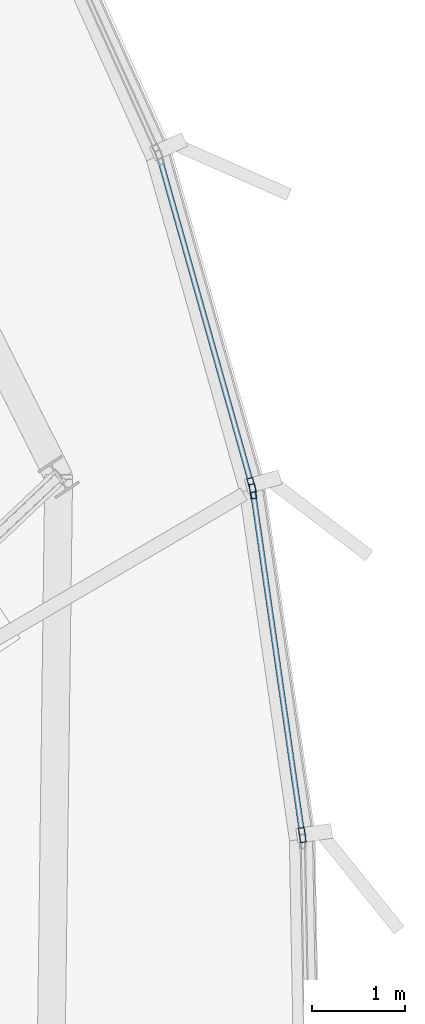
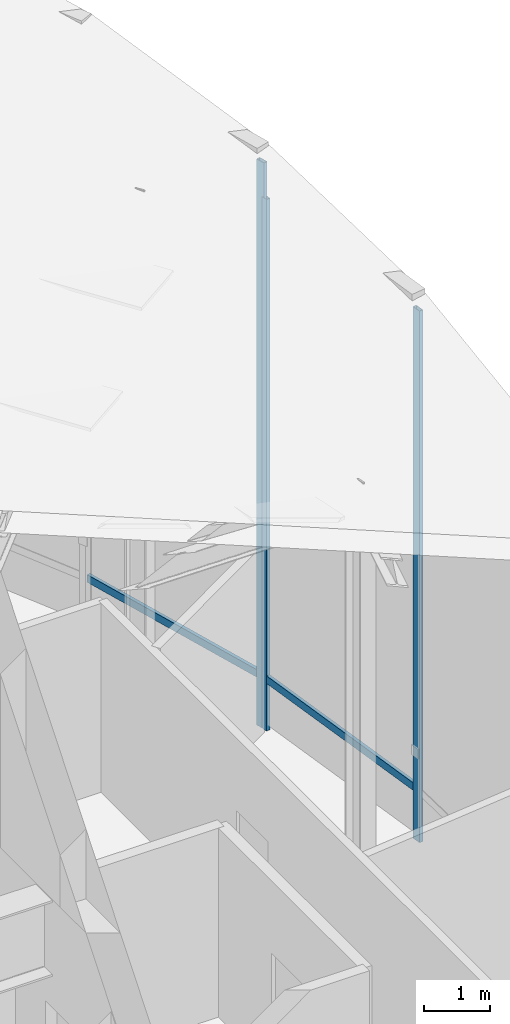
# One storey, part 16 of 36: 5 members, 2 elements without a shape of their own.
"""IFC4 building model written with IfcOpenShell, lengths in metres."""

from ifc_helpers import new_model, si_unit, direction, frame, origin, origin_2d, place, context, subcontext, project, spatial, hollow_rectangle, extrude, source, transform, mapped, material, layer, layer_set, material_profile, profile_set, type_object, element, aggregate, save


model = new_model("IFC4")

# Units and contexts
model_context = context("Model", 3, precision=1e-05, world=origin(), true_north=direction((0.0, 1.0)))
body_context = subcontext(model_context, "Body", "Model", "MODEL_VIEW")
ifc_project = project(units=[si_unit("LENGTHUNIT", "METRE"), si_unit("AREAUNIT", "SQUARE_METRE"), si_unit("VOLUMEUNIT", "CUBIC_METRE"), si_unit("PLANEANGLEUNIT", "RADIAN"), si_unit("MASSUNIT", "GRAM", prefix="KILO"), si_unit("THERMODYNAMICTEMPERATUREUNIT", "KELVIN")], contexts=[model_context])

# Site, building, storey
site_placement = place(None, origin())
site = spatial("IfcSite", under=ifc_project, at=site_placement, CompositionType="ELEMENT")
building_placement = place(site_placement, origin())
building = spatial("IfcBuilding", under=site, at=building_placement, Name="Kethvar Cultural Tower", CompositionType="ELEMENT")
storey_placement = place(building_placement, frame((0.0, 0.0, 324.300048828125)))
storey = spatial("IfcBuildingStorey", under=building, at=storey_placement, Name="L86", CompositionType="ELEMENT", Elevation=324.300048828125)

# Curtain wall, member
ifc_material = material(Name="Aluminium 6063-T6", Category="aluminium")
ifc_layer = layer(ifc_material, 0.179931640625, Name="Aluminium 6063-T6", Category="aluminium")
ifc_layer_set = layer_set([ifc_layer], Name="Aluminium 6063-T6 (180 mm)")
curtain_wall_type = type_object("IfcCurtainWallType", Name="CW-SYS-06-CROWN", PredefinedType="NOTDEFINED", material=ifc_layer_set)
curtain_wall_1_placement = place(storey_placement, origin())
curtain_wall_1 = element("IfcCurtainWall", 1, at=curtain_wall_1_placement, inside=storey, type_object=curtain_wall_type, Name="L86 Curtain Wall Run 32", PredefinedType="NOTDEFINED")
ifc_material_profile_1 = material_profile(ifc_material, hollow_rectangle(XDim=0.06494140625, YDim=0.159912109375, WallThickness=0.0048828125, at=origin_2d()), Name="Aluminium 6063-T6 — RHS160x65x5")
ifc_profile_set_1 = profile_set([ifc_material_profile_1], Name="Aluminium 6063-T6 — RHS160x65x5")
member_type_1 = type_object("IfcMemberType", Name="CW-SYS-06-CROWN-MUL", PredefinedType="MULLION", material=ifc_profile_set_1)
shared_shape_1 = source(origin(), body_context, "Body", "SweptSolid", [
    extrude(hollow_rectangle(XDim=0.06494140625, YDim=0.159912109375, WallThickness=0.0048828125, at=origin_2d()), origin(), (0.0, 0.0, 1.0), 10.45751953125),
])
member_1_placement = place(storey_placement, frame((63.406982421875, 37.41796875, 0.0), z_axis=(0.0, 0.0, 1.0), x_axis=(-0.962738960451, -0.270432420449, 0.0)))
member_1 = element("IfcMember", 2, at=member_1_placement, type_object=member_type_1, Name="CW-L86-R32 Mullion 1", PredefinedType="MULLION", context=body_context, shape_type="MappedRepresentation", body=[
    mapped(shared_shape_1, transform((0.0, 0.0, 0.0), scale=1.0)),
])

# Curtain wall, members
curtain_wall_2_placement = place(storey_placement, origin())
curtain_wall_2 = element("IfcCurtainWall", 3, at=curtain_wall_2_placement, inside=storey, type_object=curtain_wall_type, Name="L86 Curtain Wall Run 31", PredefinedType="NOTDEFINED")
shared_shape_2 = source(origin(), body_context, "Body", "SweptSolid", [
    extrude(hollow_rectangle(XDim=0.06494140625, YDim=0.159912109375, WallThickness=0.0048828125, at=origin_2d()), origin(), (0.0, 0.0, 1.0), 9.821533203125),
])
member_2_placement = place(storey_placement, frame((63.953857421875, 33.64306640625, 0.0), z_axis=(0.0, 0.0, 1.0), x_axis=(-0.989840851955, -0.142179772829, 0.0)))
member_2 = element("IfcMember", 4, at=member_2_placement, type_object=member_type_1, Name="CW-L86-R31 Mullion 1", PredefinedType="MULLION", context=body_context, shape_type="MappedRepresentation", body=[
    mapped(shared_shape_2, transform((0.0, 0.0, 0.0), scale=1.0)),
])
member_3_placement = place(storey_placement, frame((63.421142578125, 37.350830078125, 0.0), z_axis=(0.0, 0.0, 1.0), x_axis=(-0.989840851955, -0.142179772829, 0.0)))
member_3 = element("IfcMember", 5, at=member_3_placement, type_object=member_type_1, Name="CW-L86-R31 Mullion 2", PredefinedType="MULLION", context=body_context, shape_type="MappedRepresentation", body=[
    mapped(shared_shape_2, transform((0.0, 0.0, 0.0), scale=1.0)),
])
ifc_material_profile_2 = material_profile(ifc_material, hollow_rectangle(XDim=0.06005859375, YDim=0.139892578125, WallThickness=0.0048828125, at=origin_2d()), Name="Aluminium 6063-T6 — RHS140x60x5")
ifc_profile_set_2 = profile_set([ifc_material_profile_2], Name="Aluminium 6063-T6 — RHS140x60x5")
member_type_2 = type_object("IfcMemberType", Name="CW-SYS-06-CROWN-TRN", PredefinedType="USERDEFINED", material=ifc_profile_set_2)
shared_shape_3 = source(origin(), body_context, "Body", "SweptSolid", [
    extrude(hollow_rectangle(XDim=0.06005859375, YDim=0.139892578125, WallThickness=0.0048828125, at=origin_2d()), origin(), (0.0, 0.0, 1.0), 3.73681640625),
])
member_4_placement = place(storey_placement, frame((63.953125, 33.6474609375, 0.949951171875), z_axis=(-0.142162180201, 0.989843378783, 0.0), x_axis=(-0.989843378783, -0.142162180201, 0.0)))
member_4 = element("IfcMember", 6, at=member_4_placement, type_object=member_type_2, Name="CW-L86-R31 Transom 1", ObjectType="TRANSOM", PredefinedType="USERDEFINED", context=body_context, shape_type="MappedRepresentation", body=[
    mapped(shared_shape_3, transform((0.0, 0.0, 0.0), scale=1.0)),
])
aggregate(curtain_wall_2, [member_2, member_3, member_4])

# Member
shared_shape_4 = source(origin(), body_context, "Body", "SweptSolid", [
    extrude(hollow_rectangle(XDim=0.06005859375, YDim=0.139892578125, WallThickness=0.0048828125, at=origin_2d()), origin(), (0.0, 0.0, 1.0), 3.66162109375),
])
member_5_placement = place(storey_placement, frame((63.40576171875, 37.42236328125, 0.949951171875), z_axis=(-0.270438551059, 0.962737238348, 0.0), x_axis=(-0.962737238348, -0.270438551059, 0.0)))
member_5 = element("IfcMember", 7, at=member_5_placement, type_object=member_type_2, Name="CW-L86-R32 Transom 1", ObjectType="TRANSOM", PredefinedType="USERDEFINED", context=body_context, shape_type="MappedRepresentation", body=[
    mapped(shared_shape_4, transform((0.0, 0.0, 0.0), scale=1.0)),
])

aggregate(curtain_wall_1, [member_1, member_5])

save(model, "model.ifc")
